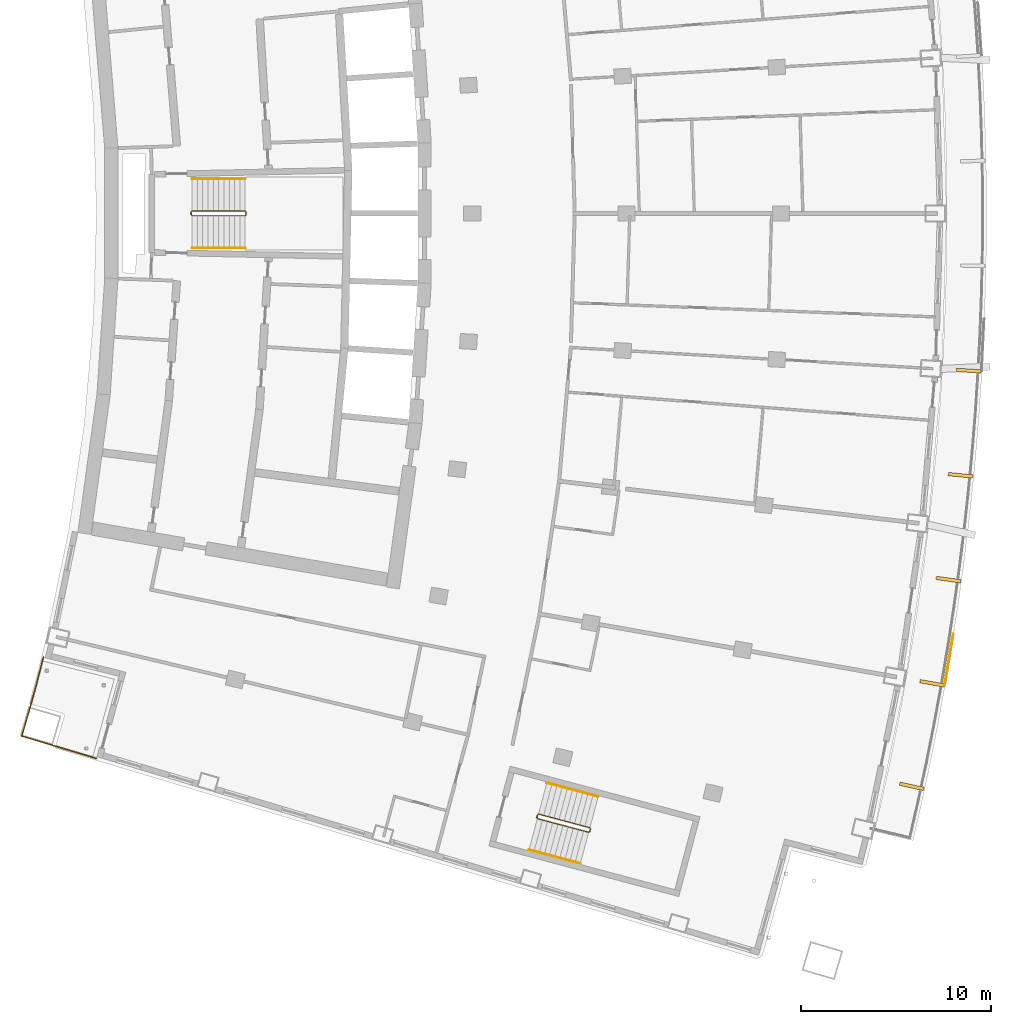
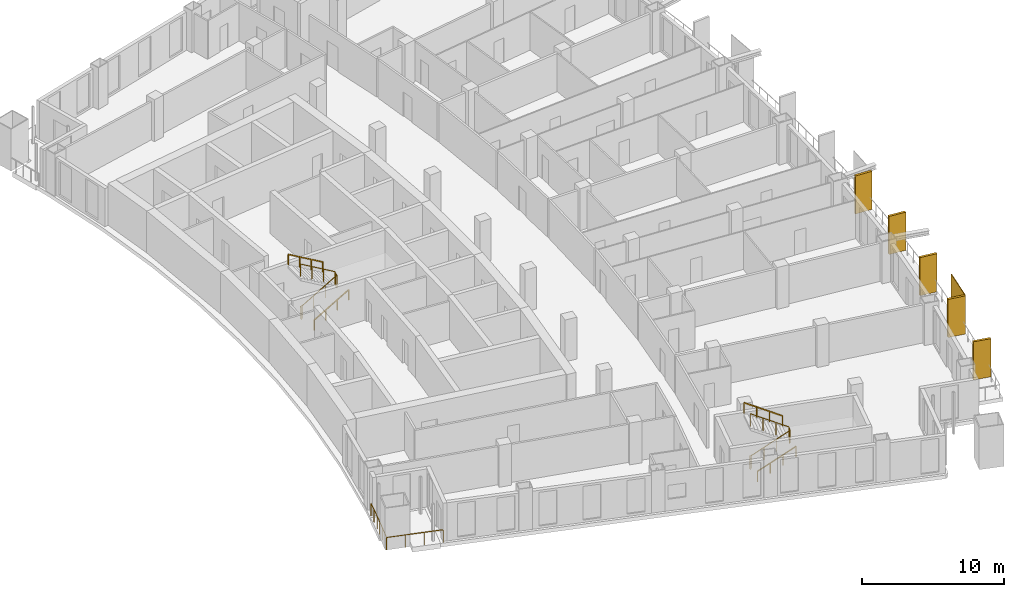
# One storey, part 18 of 20: 7 railings, 6 shading devices.
"""IFC4 building model written with IfcOpenShell, lengths in metres."""

from ifc_helpers import new_model, si_unit, direction, frame, origin, origin_with_axes, origin_2d, place, context, subcontext, project, spatial, rectangle, extrude, material, layer, layer_set, type_object, element, save


model = new_model("IFC4")

# Units and contexts
model_context = context("Model", 3, precision=1e-05, world=origin(), true_north=direction((0.0, 1.0)))
body_context = subcontext(model_context, "Body", "Model", "MODEL_VIEW")
ifc_project = project(units=[si_unit("LENGTHUNIT", "METRE"), si_unit("AREAUNIT", "SQUARE_METRE"), si_unit("VOLUMEUNIT", "CUBIC_METRE"), si_unit("PLANEANGLEUNIT", "RADIAN"), si_unit("MASSUNIT", "GRAM", prefix="KILO")], contexts=[model_context])

# Site, building, storey
site_placement = place(None, origin())
site = spatial("IfcSite", under=ifc_project, at=site_placement, CompositionType="ELEMENT")
building_placement = place(site_placement, origin())
building = spatial("IfcBuilding", under=site, at=building_placement, Name="Alderwake Tower", CompositionType="ELEMENT")
storey_placement = place(building_placement, frame((0.0, 0.0, 142.39990234375)))
storey = spatial("IfcBuildingStorey", under=building, at=storey_placement, Name="L34", CompositionType="ELEMENT", Elevation=142.39990234375)

# Railing
ifc_material_1 = material(Name="Stainless steel 316 rail and posts", Category="steel")
railing_type_1 = type_object("IfcRailingType", Name="Balcony guard 1100", PredefinedType="GUARDRAIL", material=ifc_material_1)
railing_1_placement = place(storey_placement, frame((13.210693359375, 37.612548828125, 0.0)))
element("IfcRailing", 1, at=railing_1_placement, inside=storey, type_object=railing_type_1, Name="Guard terrace RS", PredefinedType="GUARDRAIL", context=body_context, shape_type="SweptSolid", body=[
    extrude(rectangle(XDim=0.048095703125, YDim=0.048095703125, at=origin_2d()), frame((0.0, 0.0, 1.076171875), z_axis=(-0.251385381433, -0.967887075026, 0.0), x_axis=(0.967887075026, -0.251385381433, 0.0)), (0.0, 0.0, 1.0), 1.6015625),
    extrude(rectangle(XDim=0.048095703125, YDim=0.048095703125, at=origin_2d()), frame((-0.402587890625, -1.550048828125, 1.076171875), z_axis=(-0.266520638672, -0.963829211615, 0.0), x_axis=(0.963829211615, -0.266520638672, 0.0)), (0.0, 0.0, 1.0), 1.401611328125),
    extrude(rectangle(XDim=0.048095703125, YDim=0.048095703125, at=origin_2d()), frame((-0.776123046875, -2.90087890625, 1.076171875), z_axis=(-0.280093650878, -0.959972680204, 0.0), x_axis=(0.959972680204, -0.280093650878, 0.0)), (0.0, 0.0, 1.0), 1.30126953125),
    extrude(rectangle(XDim=0.048095703125, YDim=0.048095703125, at=origin_2d()), frame((-1.140625, -4.150146484375, 1.076171875), z_axis=(0.958066871889, -0.286544706789, 0.0), x_axis=(0.286544706789, 0.958066871889, 0.0)), (0.0, 0.0, 1.0), 4.099853515625),
    extrude(rectangle(XDim=0.0419921875, YDim=0.0419921875, at=origin_2d()), frame((0.0, 0.0, 0.0), z_axis=(0.0, 0.0, 1.0), x_axis=(-0.251385381433, -0.967887075026, 0.0)), (0.0, 0.0, 1.0), 1.052001953125),
    extrude(rectangle(XDim=0.0419921875, YDim=0.0419921875, at=origin_2d()), frame((-0.201171875, -0.77490234375, 0.0), z_axis=(0.0, 0.0, 1.0), x_axis=(-0.251385381433, -0.967887075026, 0.0)), (0.0, 0.0, 1.0), 1.052001953125),
    extrude(rectangle(XDim=0.0419921875, YDim=0.0419921875, at=origin_2d()), frame((-0.402587890625, -1.550048828125, 0.0), z_axis=(0.0, 0.0, 1.0), x_axis=(-0.266520638672, -0.963829211615, 0.0)), (0.0, 0.0, 1.0), 1.052001953125),
    extrude(rectangle(XDim=0.0419921875, YDim=0.0419921875, at=origin_2d()), frame((-0.58935546875, -2.2255859375, 0.0), z_axis=(0.0, 0.0, 1.0), x_axis=(-0.266520638672, -0.963829211615, 0.0)), (0.0, 0.0, 1.0), 1.052001953125),
    extrude(rectangle(XDim=0.0419921875, YDim=0.0419921875, at=origin_2d()), frame((-0.776123046875, -2.90087890625, 0.0), z_axis=(0.0, 0.0, 1.0), x_axis=(-0.280093650878, -0.959972680204, 0.0)), (0.0, 0.0, 1.0), 1.052001953125),
    extrude(rectangle(XDim=0.0419921875, YDim=0.0419921875, at=origin_2d()), frame((-1.140625, -4.150146484375, 0.0), z_axis=(0.0, 0.0, 1.0), x_axis=(0.958066871889, -0.286544706789, 0.0)), (0.0, 0.0, 1.0), 1.052001953125),
    extrude(rectangle(XDim=0.0419921875, YDim=0.0419921875, at=origin_2d()), frame((0.168701171875, -4.541748046875, 0.0), z_axis=(0.0, 0.0, 1.0), x_axis=(0.958066871889, -0.286544706789, 0.0)), (0.0, 0.0, 1.0), 1.052001953125),
    extrude(rectangle(XDim=0.0419921875, YDim=0.0419921875, at=origin_2d()), frame((1.47802734375, -4.933349609375, 0.0), z_axis=(0.0, 0.0, 1.0), x_axis=(0.958066871889, -0.286544706789, 0.0)), (0.0, 0.0, 1.0), 1.052001953125),
    extrude(rectangle(XDim=0.0419921875, YDim=0.0419921875, at=origin_2d()), frame((2.787353515625, -5.324951171875, 0.0), z_axis=(0.0, 0.0, 1.0), x_axis=(0.958066871889, -0.286544706789, 0.0)), (0.0, 0.0, 1.0), 1.052001953125),
])

# Shading devices
ifc_material_2 = material(Name="Bronze anodised aluminium", Category="aluminium")
ifc_layer_1 = layer(ifc_material_2, 0.179931640625)
ifc_layer_set_1 = layer_set([ifc_layer_1], Name="Facade fin 1300")
shading_device_type_1 = type_object("IfcShadingDeviceType", Name="Facade fin 1300", PredefinedType="USERDEFINED", material=ifc_layer_set_1)
for number, where, z_axis, x_axis, name in (
    (2, (58.959228515625, 30.814697265625, 0.0), (0.0, 0.0, 1.0), (0.977210363881, -0.212273184185, 0.0), "Fin"),
    (3, (60.028076171875, 36.24169921875, 0.0), (0.0, 0.0, 1.0), (0.984726421654, -0.174108800747, 0.0), "Fin"),
    (4, (60.885009765625, 41.706298828125, 0.0), (0.0, 0.0, 1.0), (0.990752577235, -0.135680988728, 0.0), "Fin"),
    (5, (61.52880859375, 47.199951171875, 0.0), (0.0, 0.0, 1.0), (0.995279882363, -0.097046152751, 0.0), "Fin"),
    (6, (61.95849609375, 52.71435546875, 0.0), (0.0, 0.0, 1.0), (0.998301080988, -0.058266214038, 0.0), "Fin"),
):
    element("IfcShadingDevice", number, at=place(storey_placement, frame(where, z_axis=z_axis, x_axis=x_axis)), inside=storey, type_object=shading_device_type_1, Name=name, ObjectType="FIN", PredefinedType="USERDEFINED", context=body_context, shape_type="SweptSolid", body=[
        extrude(rectangle(XDim=1.300048828125, YDim=0.179931640625, at=origin_2d()), origin(), (0.0, 0.0, 1.0), 3.280029296875),
    ])
ifc_material_3 = material(Name="Perforated bronze anodised aluminium", Category="aluminium")
ifc_layer_2 = layer(ifc_material_3, 0.050048828125)
ifc_layer_set_2 = layer_set([ifc_layer_2], Name="Perforated screen panel")
shading_device_type_2 = type_object("IfcShadingDeviceType", Name="Perforated screen panel", PredefinedType="USERDEFINED", material=ifc_layer_set_2)
shading_device_placement = place(storey_placement, frame((60.9208984375, 37.4912109375, 0.0), z_axis=(0.0, 0.0, 1.0), x_axis=(0.986369013299, -0.164548380739, 0.0)))
element("IfcShadingDevice", 7, at=shading_device_placement, inside=storey, type_object=shading_device_type_2, Name="Screen panel", ObjectType="SCREEN", PredefinedType="USERDEFINED", context=body_context, shape_type="SweptSolid", body=[
    extrude(rectangle(XDim=0.050048828125, YDim=2.771728515625, at=origin_2d()), origin(), (0.0, 0.0, 1.0), 3.280029296875),
])

# Railings
ifc_material_4 = material(Name="Stainless steel guard", Category="steel")
railing_type_2 = type_object("IfcRailingType", Name="Stair guard 1100", PredefinedType="GUARDRAIL", material=ifc_material_4)
railing_2_placement = place(storey_placement, frame((20.989990234375, 60.925048828125, 0.0)))
element("IfcRailing", 8, at=railing_2_placement, inside=storey, type_object=railing_type_2, Name="L34 ST-B stair guard 1", PredefinedType="GUARDRAIL", context=body_context, shape_type="SweptSolid", body=[
    extrude(rectangle(XDim=0.048095703125, YDim=0.048095703125, at=origin_2d()), frame((0.0, 0.0, 1.076171875), z_axis=(0.0, 1.0, 0.0), x_axis=(-1.0, 0.0, 0.0)), (0.0, 0.0, 1.0), 0.14990234375),
    extrude(rectangle(XDim=0.048095703125, YDim=0.048095703125, at=origin_2d()), frame((0.0, 0.14990234375, 1.076171875), z_axis=(0.190089865108, -0.759432192796, 0.622196582865), x_axis=(0.970072785993, 0.242814311512, 0.0)), (0.0, 0.0, 1.0), 0.26318359375),
    extrude(rectangle(XDim=0.048095703125, YDim=0.048095703125, at=origin_2d()), frame((0.050048828125, -0.050048828125, 1.23974609375), z_axis=(0.863393664356, 0.0, 0.504530851732), x_axis=(0.0, 1.0, 0.0)), (0.0, 0.0, 1.0), 3.2431640625),
    extrude(rectangle(XDim=0.048095703125, YDim=0.048095703125, at=origin_2d()), frame((2.85009765625, -0.050048828125, 2.8759765625), z_axis=(0.705375805398, 0.708833529934, 0.0), x_axis=(-0.708833529934, 0.705375805398, 0.0)), (0.0, 0.0, 1.0), 0.070556640625),
    extrude(rectangle(XDim=0.048095703125, YDim=0.048095703125, at=origin_2d()), frame((2.89990234375, 0.0, 2.8759765625), z_axis=(0.0, 1.0, 0.0), x_axis=(-1.0, 0.0, 0.0)), (0.0, 0.0, 1.0), 0.14990234375),
    extrude(rectangle(XDim=0.048095703125, YDim=0.048095703125, at=origin_2d()), frame((2.89990234375, 0.14990234375, 2.8759765625), z_axis=(-0.279546231943, 0.280916556609, 0.91811752648), x_axis=(-0.708833529934, -0.705375805398, 0.0)), (0.0, 0.0, 1.0), 0.17822265625),
    extrude(rectangle(XDim=0.048095703125, YDim=0.048095703125, at=origin_2d()), frame((2.85009765625, 0.199951171875, 3.03955078125), z_axis=(-0.863360870873, 0.0, 0.504586966384), x_axis=(0.0, -1.0, 0.0)), (0.0, 0.0, 1.0), 3.2431640625),
    extrude(rectangle(XDim=0.0419921875, YDim=0.0419921875, at=origin_2d()), frame((0.0, 0.0, 0.0), z_axis=(0.0, 0.0, 1.0), x_axis=(0.0, 1.0, 0.0)), (0.0, 0.0, 1.0), 1.052001953125),
    extrude(rectangle(XDim=0.0419921875, YDim=0.0419921875, at=origin_2d()), frame((0.0, 0.14990234375, 0.0), z_axis=(0.0, 0.0, 1.0), x_axis=(0.242814311512, -0.970072785993, 0.0)), (0.0, 0.0, 1.0), 1.052001953125),
    extrude(rectangle(XDim=0.0419921875, YDim=0.0419921875, at=origin_2d()), frame((0.050048828125, -0.050048828125, 0.163818359375), z_axis=(0.0, 0.0, 1.0), x_axis=(1.0, 0.0, 0.0)), (0.0, 0.0, 1.0), 1.052001953125),
    extrude(rectangle(XDim=0.0419921875, YDim=0.0419921875, at=origin_2d()), frame((0.9833984375, -0.050048828125, 0.709228515625), z_axis=(0.0, 0.0, 1.0), x_axis=(1.0, 0.0, 0.0)), (0.0, 0.0, 1.0), 1.052001953125),
    extrude(rectangle(XDim=0.0419921875, YDim=0.0419921875, at=origin_2d()), frame((1.916748046875, -0.050048828125, 1.254638671875), z_axis=(0.0, 0.0, 1.0), x_axis=(1.0, 0.0, 0.0)), (0.0, 0.0, 1.0), 1.052001953125),
    extrude(rectangle(XDim=0.0419921875, YDim=0.0419921875, at=origin_2d()), frame((2.85009765625, -0.050048828125, 1.800048828125), z_axis=(0.0, 0.0, 1.0), x_axis=(0.705375805398, 0.708833529934, 0.0)), (0.0, 0.0, 1.0), 1.052001953125),
    extrude(rectangle(XDim=0.0419921875, YDim=0.0419921875, at=origin_2d()), frame((2.89990234375, 0.0, 1.800048828125), z_axis=(0.0, 0.0, 1.0), x_axis=(0.0, 1.0, 0.0)), (0.0, 0.0, 1.0), 1.052001953125),
    extrude(rectangle(XDim=0.0419921875, YDim=0.0419921875, at=origin_2d()), frame((2.89990234375, 0.14990234375, 1.800048828125), z_axis=(0.0, 0.0, 1.0), x_axis=(-0.705375805398, 0.708833529934, 0.0)), (0.0, 0.0, 1.0), 1.052001953125),
    extrude(rectangle(XDim=0.0419921875, YDim=0.0419921875, at=origin_2d()), frame((2.85009765625, 0.199951171875, 1.963623046875), z_axis=(0.0, 0.0, 1.0), x_axis=(-1.0, 0.0, 0.0)), (0.0, 0.0, 1.0), 1.052001953125),
    extrude(rectangle(XDim=0.0419921875, YDim=0.0419921875, at=origin_2d()), frame((1.916748046875, 0.199951171875, 2.509033203125), z_axis=(0.0, 0.0, 1.0), x_axis=(-1.0, 0.0, 0.0)), (0.0, 0.0, 1.0), 1.052001953125),
    extrude(rectangle(XDim=0.0419921875, YDim=0.0419921875, at=origin_2d()), frame((0.9833984375, 0.199951171875, 3.0546875), z_axis=(0.0, 0.0, 1.0), x_axis=(-1.0, 0.0, 0.0)), (0.0, 0.0, 1.0), 1.052001953125),
    extrude(rectangle(XDim=0.0419921875, YDim=0.0419921875, at=origin_2d()), frame((0.050048828125, 0.199951171875, 3.60009765625), z_axis=(0.0, 0.0, 1.0), x_axis=(-1.0, 0.0, 0.0)), (0.0, 0.0, 1.0), 1.052001953125),
])
railing_3_placement = place(storey_placement, frame((39.1943359375, 29.17431640625, 0.0)))
element("IfcRailing", 9, at=railing_3_placement, inside=storey, type_object=railing_type_2, Name="L34 ST-C stair guard 1", PredefinedType="GUARDRAIL", context=body_context, shape_type="SweptSolid", body=[
    extrude(rectangle(XDim=0.048095703125, YDim=0.048095703125, at=origin_2d()), frame((0.0, 0.0, 1.076171875), z_axis=(0.257459803502, 0.966289009345, 0.0), x_axis=(-0.966289009345, 0.257459803502, 0.0)), (0.0, 0.0, 1.0), 0.14990234375),
    extrude(rectangle(XDim=0.048095703125, YDim=0.048095703125, at=origin_2d()), frame((0.03857421875, 0.144775390625, 1.076171875), z_axis=(-0.012055935761, -0.782708444821, 0.622271761226), x_axis=(0.999881397308, -0.015401016783, 0.0)), (0.0, 0.0, 1.0), 0.26318359375),
    extrude(rectangle(XDim=0.048095703125, YDim=0.048095703125, at=origin_2d()), frame((0.035400390625, -0.061279296875, 1.23974609375), z_axis=(0.834313512087, -0.222222637163, 0.504517653885), x_axis=(0.257380452725, 0.966310148221, 0.0)), (0.0, 0.0, 1.0), 3.2431640625),
    extrude(rectangle(XDim=0.048095703125, YDim=0.048095703125, at=origin_2d()), frame((2.7412109375, -0.781982421875, 2.8759765625), z_axis=(0.865031189262, 0.501718089772, 0.0), x_axis=(-0.501718089772, 0.865031189262, 0.0)), (0.0, 0.0, 1.0), 0.070556640625),
    extrude(rectangle(XDim=0.048095703125, YDim=0.048095703125, at=origin_2d()), frame((2.80224609375, -0.74658203125, 2.8759765625), z_axis=(0.257055032184, 0.966396766566, 0.0), x_axis=(-0.966396766566, 0.257055032184, 0.0)), (0.0, 0.0, 1.0), 0.150146484375),
    extrude(rectangle(XDim=0.048095703125, YDim=0.048095703125, at=origin_2d()), frame((2.8408203125, -0.6015625, 2.8759765625), z_axis=(-0.198625291617, 0.343827228937, 0.91778583023), x_axis=(-0.865898279276, -0.500220121494, 0.0)), (0.0, 0.0, 1.0), 0.17822265625),
    extrude(rectangle(XDim=0.048095703125, YDim=0.048095703125, at=origin_2d()), frame((2.805419921875, -0.540283203125, 3.03955078125), z_axis=(-0.834258940753, 0.22222815314, 0.504605457487), x_axis=(-0.257402139082, -0.966304371715, 0.0)), (0.0, 0.0, 1.0), 3.2431640625),
    extrude(rectangle(XDim=0.0419921875, YDim=0.0419921875, at=origin_2d()), frame((0.0, 0.0, 0.0), z_axis=(0.0, 0.0, 1.0), x_axis=(0.257459803502, 0.966289009345, 0.0)), (0.0, 0.0, 1.0), 1.052001953125),
    extrude(rectangle(XDim=0.0419921875, YDim=0.0419921875, at=origin_2d()), frame((0.03857421875, 0.144775390625, 0.0), z_axis=(0.0, 0.0, 1.0), x_axis=(-0.015401016783, -0.999881397308, 0.0)), (0.0, 0.0, 1.0), 1.052001953125),
    extrude(rectangle(XDim=0.0419921875, YDim=0.0419921875, at=origin_2d()), frame((0.035400390625, -0.061279296875, 0.163818359375), z_axis=(0.0, 0.0, 1.0), x_axis=(0.966310148221, -0.257380452725, 0.0)), (0.0, 0.0, 1.0), 1.052001953125),
    extrude(rectangle(XDim=0.0419921875, YDim=0.0419921875, at=origin_2d()), frame((0.937255859375, -0.301513671875, 0.709228515625), z_axis=(0.0, 0.0, 1.0), x_axis=(0.966310148221, -0.257380452725, 0.0)), (0.0, 0.0, 1.0), 1.052001953125),
    extrude(rectangle(XDim=0.0419921875, YDim=0.0419921875, at=origin_2d()), frame((1.83935546875, -0.541748046875, 1.254638671875), z_axis=(0.0, 0.0, 1.0), x_axis=(0.966310148221, -0.257380452725, 0.0)), (0.0, 0.0, 1.0), 1.052001953125),
    extrude(rectangle(XDim=0.0419921875, YDim=0.0419921875, at=origin_2d()), frame((2.7412109375, -0.781982421875, 1.800048828125), z_axis=(0.0, 0.0, 1.0), x_axis=(0.865031189262, 0.501718089772, 0.0)), (0.0, 0.0, 1.0), 1.052001953125),
    extrude(rectangle(XDim=0.0419921875, YDim=0.0419921875, at=origin_2d()), frame((2.80224609375, -0.74658203125, 1.800048828125), z_axis=(0.0, 0.0, 1.0), x_axis=(0.257055032184, 0.966396766566, 0.0)), (0.0, 0.0, 1.0), 1.052001953125),
    extrude(rectangle(XDim=0.0419921875, YDim=0.0419921875, at=origin_2d()), frame((2.8408203125, -0.6015625, 1.800048828125), z_axis=(0.0, 0.0, 1.0), x_axis=(-0.500220121494, 0.865898279276, 0.0)), (0.0, 0.0, 1.0), 1.052001953125),
    extrude(rectangle(XDim=0.0419921875, YDim=0.0419921875, at=origin_2d()), frame((2.805419921875, -0.540283203125, 1.963623046875), z_axis=(0.0, 0.0, 1.0), x_axis=(-0.966304371715, 0.257402139082, 0.0)), (0.0, 0.0, 1.0), 1.052001953125),
    extrude(rectangle(XDim=0.0419921875, YDim=0.0419921875, at=origin_2d()), frame((1.903564453125, -0.300048828125, 2.509033203125), z_axis=(0.0, 0.0, 1.0), x_axis=(-0.966304371715, 0.257402139082, 0.0)), (0.0, 0.0, 1.0), 1.052001953125),
    extrude(rectangle(XDim=0.0419921875, YDim=0.0419921875, at=origin_2d()), frame((1.001708984375, -0.059814453125, 3.0546875), z_axis=(0.0, 0.0, 1.0), x_axis=(-0.966304371715, 0.257402139082, 0.0)), (0.0, 0.0, 1.0), 1.052001953125),
    extrude(rectangle(XDim=0.0419921875, YDim=0.0419921875, at=origin_2d()), frame((0.099853515625, 0.180419921875, 3.60009765625), z_axis=(0.0, 0.0, 1.0), x_axis=(-0.966304371715, 0.257402139082, 0.0)), (0.0, 0.0, 1.0), 1.052001953125),
])
ifc_material_5 = material(Name="Stainless steel handrail", Category="steel")
railing_type_3 = type_object("IfcRailingType", Name="Stair handrail 900", PredefinedType="HANDRAIL", material=ifc_material_5)
railing_4_placement = place(storey_placement, frame((21.0400390625, 59.175048828125, 0.163818359375)))
element("IfcRailing", 10, at=railing_4_placement, inside=storey, type_object=railing_type_3, Name="L34 ST-B stair handrail 1", PredefinedType="HANDRAIL", context=body_context, shape_type="SweptSolid", body=[
    extrude(rectangle(XDim=0.048095703125, YDim=0.048095703125, at=origin_2d()), frame((0.0, 0.0, 0.8759765625), z_axis=(0.863393664356, 0.0, 0.504530851732), x_axis=(0.0, 1.0, 0.0)), (0.0, 0.0, 1.0), 3.2431640625),
    extrude(rectangle(XDim=0.0419921875, YDim=0.0419921875, at=origin_2d()), origin_with_axes(), (0.0, 0.0, 1.0), 0.851806640625),
    extrude(rectangle(XDim=0.0419921875, YDim=0.0419921875, at=origin_2d()), frame((0.933349609375, 0.0, 0.54541015625), z_axis=(0.0, 0.0, 1.0), x_axis=(1.0, 0.0, 0.0)), (0.0, 0.0, 1.0), 0.851806640625),
    extrude(rectangle(XDim=0.0419921875, YDim=0.0419921875, at=origin_2d()), frame((1.86669921875, 0.0, 1.0908203125), z_axis=(0.0, 0.0, 1.0), x_axis=(1.0, 0.0, 0.0)), (0.0, 0.0, 1.0), 0.851806640625),
    extrude(rectangle(XDim=0.0419921875, YDim=0.0419921875, at=origin_2d()), frame((2.800048828125, 0.0, 1.63623046875), z_axis=(0.0, 0.0, 1.0), x_axis=(1.0, 0.0, 0.0)), (0.0, 0.0, 1.0), 0.851806640625),
])
railing_5_placement = place(storey_placement, frame((23.840087890625, 62.824951171875, 1.963623046875)))
element("IfcRailing", 11, at=railing_5_placement, inside=storey, type_object=railing_type_3, Name="L34 ST-B stair handrail 2", PredefinedType="HANDRAIL", context=body_context, shape_type="SweptSolid", body=[
    extrude(rectangle(XDim=0.048095703125, YDim=0.048095703125, at=origin_2d()), frame((0.0, 0.0, 0.8759765625), z_axis=(-0.863360870873, 0.0, 0.504586966384), x_axis=(0.0, -1.0, 0.0)), (0.0, 0.0, 1.0), 3.2431640625),
    extrude(rectangle(XDim=0.0419921875, YDim=0.0419921875, at=origin_2d()), frame((0.0, 0.0, 0.0), z_axis=(0.0, 0.0, 1.0), x_axis=(-1.0, 0.0, 0.0)), (0.0, 0.0, 1.0), 0.851806640625),
    extrude(rectangle(XDim=0.0419921875, YDim=0.0419921875, at=origin_2d()), frame((-0.933349609375, 0.0, 0.54541015625), z_axis=(0.0, 0.0, 1.0), x_axis=(-1.0, 0.0, 0.0)), (0.0, 0.0, 1.0), 0.851806640625),
    extrude(rectangle(XDim=0.0419921875, YDim=0.0419921875, at=origin_2d()), frame((-1.86669921875, 0.0, 1.091064453125), z_axis=(0.0, 0.0, 1.0), x_axis=(-1.0, 0.0, 0.0)), (0.0, 0.0, 1.0), 0.851806640625),
    extrude(rectangle(XDim=0.0419921875, YDim=0.0419921875, at=origin_2d()), frame((-2.800048828125, 0.0, 1.636474609375), z_axis=(0.0, 0.0, 1.0), x_axis=(-1.0, 0.0, 0.0)), (0.0, 0.0, 1.0), 0.851806640625),
])
railing_6_placement = place(storey_placement, frame((38.792236328125, 27.47021484375, 0.163818359375)))
element("IfcRailing", 12, at=railing_6_placement, inside=storey, type_object=railing_type_3, Name="L34 ST-C stair handrail 1", PredefinedType="HANDRAIL", context=body_context, shape_type="SweptSolid", body=[
    extrude(rectangle(XDim=0.048095703125, YDim=0.048095703125, at=origin_2d()), frame((0.0, 0.0, 0.8759765625), z_axis=(0.834304587439, -0.222165027751, 0.504557782442), x_axis=(0.25732071773, 0.966326056891, 0.0)), (0.0, 0.0, 1.0), 3.242919921875),
    extrude(rectangle(XDim=0.0419921875, YDim=0.0419921875, at=origin_2d()), frame((0.0, 0.0, 0.0), z_axis=(0.0, 0.0, 1.0), x_axis=(0.966326056891, -0.25732071773, 0.0)), (0.0, 0.0, 1.0), 0.851806640625),
    extrude(rectangle(XDim=0.0419921875, YDim=0.0419921875, at=origin_2d()), frame((0.90185546875, -0.240234375, 0.54541015625), z_axis=(0.0, 0.0, 1.0), x_axis=(0.966326056891, -0.25732071773, 0.0)), (0.0, 0.0, 1.0), 0.851806640625),
    extrude(rectangle(XDim=0.0419921875, YDim=0.0419921875, at=origin_2d()), frame((1.8037109375, -0.480224609375, 1.0908203125), z_axis=(0.0, 0.0, 1.0), x_axis=(0.966326056891, -0.25732071773, 0.0)), (0.0, 0.0, 1.0), 0.851806640625),
    extrude(rectangle(XDim=0.0419921875, YDim=0.0419921875, at=origin_2d()), frame((2.70556640625, -0.720458984375, 1.63623046875), z_axis=(0.0, 0.0, 1.0), x_axis=(0.966326056891, -0.25732071773, 0.0)), (0.0, 0.0, 1.0), 0.851806640625),
])
railing_7_placement = place(storey_placement, frame((42.437255859375, 30.276611328125, 1.963623046875)))
element("IfcRailing", 13, at=railing_7_placement, inside=storey, type_object=railing_type_3, Name="L34 ST-C stair handrail 2", PredefinedType="HANDRAIL", context=body_context, shape_type="SweptSolid", body=[
    extrude(rectangle(XDim=0.048095703125, YDim=0.048095703125, at=origin_2d()), frame((0.0, 0.0, 0.8759765625), z_axis=(-0.834258940753, 0.22222815314, 0.504605457487), x_axis=(-0.257402139082, -0.966304371715, 0.0)), (0.0, 0.0, 1.0), 3.2431640625),
    extrude(rectangle(XDim=0.0419921875, YDim=0.0419921875, at=origin_2d()), frame((0.0, 0.0, 0.0), z_axis=(0.0, 0.0, 1.0), x_axis=(-0.966304371715, 0.257402139082, 0.0)), (0.0, 0.0, 1.0), 0.851806640625),
    extrude(rectangle(XDim=0.0419921875, YDim=0.0419921875, at=origin_2d()), frame((-0.90185546875, 0.240234375, 0.54541015625), z_axis=(0.0, 0.0, 1.0), x_axis=(-0.966304371715, 0.257402139082, 0.0)), (0.0, 0.0, 1.0), 0.851806640625),
    extrude(rectangle(XDim=0.0419921875, YDim=0.0419921875, at=origin_2d()), frame((-1.8037109375, 0.48046875, 1.091064453125), z_axis=(0.0, 0.0, 1.0), x_axis=(-0.966304371715, 0.257402139082, 0.0)), (0.0, 0.0, 1.0), 0.851806640625),
    extrude(rectangle(XDim=0.0419921875, YDim=0.0419921875, at=origin_2d()), frame((-2.70556640625, 0.720703125, 1.636474609375), z_axis=(0.0, 0.0, 1.0), x_axis=(-0.966304371715, 0.257402139082, 0.0)), (0.0, 0.0, 1.0), 0.851806640625),
])

save(model, "model.ifc")
